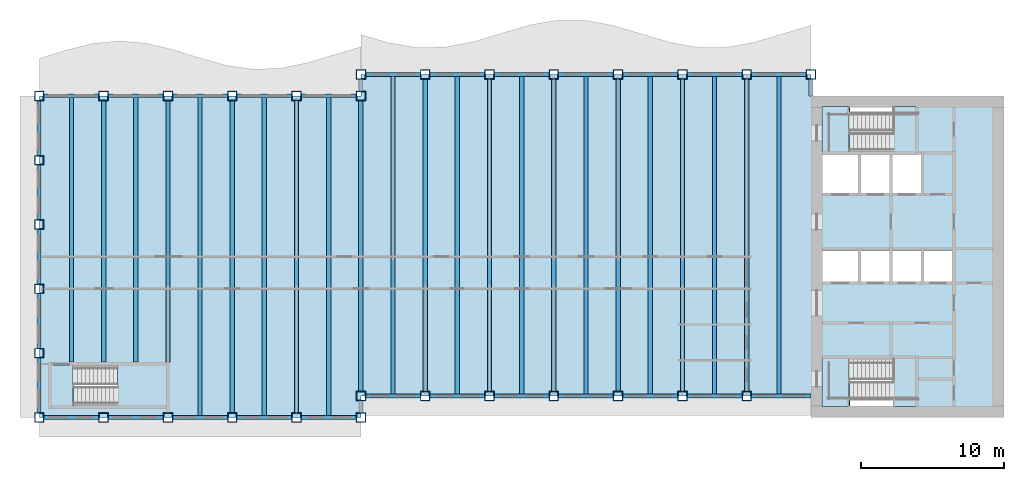
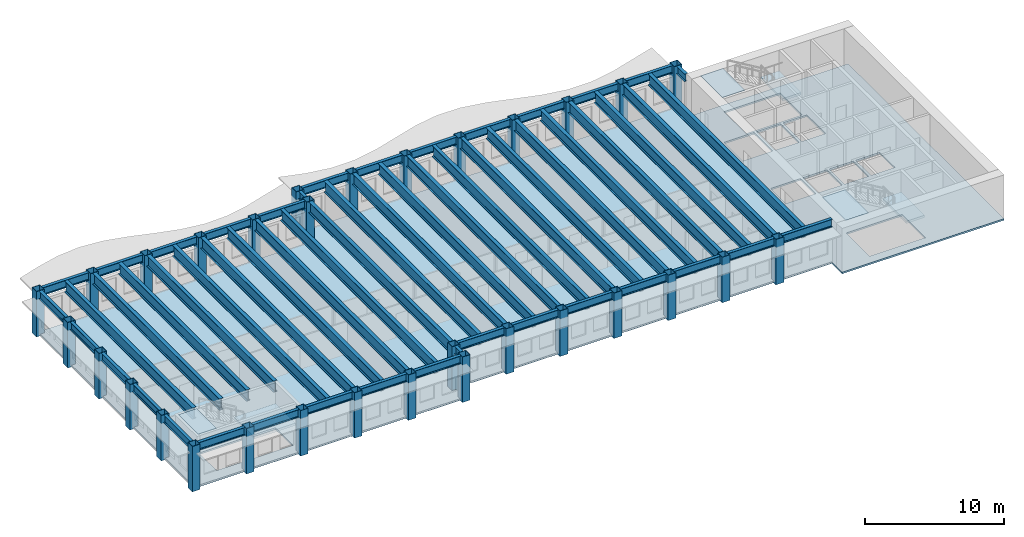
# One storey, part 1 of 12: 55 beams, 31 columns, 7 slabs, 3 elements without a shape of their own.
"""IFC4 building model written with IfcOpenShell, lengths in metres."""

from ifc_helpers import new_model, si_unit, direction, frame, origin, origin_2d, place, context, subcontext, project, spatial, polyline, hollow_rectangle, i_section, outline, extrude, material, layer, layer_set, material_profile, profile_set, type_object, element, aggregate, save


model = new_model("IFC4")

# Units and contexts
model_context = context("Model", 3, precision=1e-05, world=origin(), true_north=direction((0.0, 1.0)))
body_context = subcontext(model_context, "Body", "Model", "MODEL_VIEW")
ifc_project = project(units=[si_unit("LENGTHUNIT", "METRE"), si_unit("AREAUNIT", "SQUARE_METRE"), si_unit("VOLUMEUNIT", "CUBIC_METRE"), si_unit("PLANEANGLEUNIT", "RADIAN"), si_unit("MASSUNIT", "GRAM", prefix="KILO")], contexts=[model_context])

# Site, building, storey
site_placement = place(None, origin())
site = spatial("IfcSite", under=ifc_project, at=site_placement, CompositionType="ELEMENT")
building_placement = place(site_placement, origin())
building = spatial("IfcBuilding", under=site, at=building_placement, Name="Sennacour Bend Tower", CompositionType="ELEMENT")
storey_placement = place(building_placement, frame((0.0, 0.0, 249.0)))
storey = spatial("IfcBuildingStorey", under=building, at=storey_placement, Name="L57", CompositionType="ELEMENT", Elevation=249.0)

# Columns
ifc_material_1 = material(Name="Steel ASTM A572 Grade 50", Category="steel")
ifc_material_profile_1 = material_profile(ifc_material_1, hollow_rectangle(XDim=0.64990234375, YDim=0.64990234375, WallThickness=0.031982421875, at=origin_2d()), Name="Steel ASTM A572 Grade 50", Category="steel")
ifc_profile_set_1 = profile_set([ifc_material_profile_1], Name="Steel ASTM A572 Grade 50")
column_type = type_object("IfcColumnType", Name="Box column 650", PredefinedType="COLUMN", material=ifc_profile_set_1)
for number, where, z_axis, x_axis, name in (
    (1, (0.0, 0.0, -0.14990234375), (0.0, 0.0, 1.0), (1.0, 0.0, 0.0), "Perimeter column C5 L57-001"),
    (2, (0.0, 4.5, -0.14990234375), (0.0, 0.0, 1.0), (1.0, 0.0, 0.0), "Perimeter column C5 L57-002"),
    (3, (0.0, 9.0, -0.14990234375), (0.0, 0.0, 1.0), (1.0, 0.0, 0.0), "Perimeter column C5 L57-003"),
    (4, (0.0, 13.5, -0.14990234375), (0.0, 0.0, 1.0), (1.0, 0.0, 0.0), "Perimeter column C5 L57-004"),
    (5, (0.0, 18.0, -0.14990234375), (0.0, 0.0, 1.0), (1.0, 0.0, 0.0), "Perimeter column C5 L57-005"),
    (6, (0.0, 22.5, -0.14990234375), (0.0, 0.0, 1.0), (1.0, 0.0, 0.0), "Perimeter column C5 L57-006"),
    (7, (4.5, 0.0, -0.14990234375), (0.0, 0.0, 1.0), (1.0, 0.0, 0.0), "Perimeter column C5 L57-007"),
    (8, (4.5, 22.5, -0.14990234375), (0.0, 0.0, 1.0), (1.0, 0.0, 0.0), "Perimeter column C5 L57-008"),
    (9, (9.0, 0.0, -0.14990234375), (0.0, 0.0, 1.0), (1.0, 0.0, 0.0), "Perimeter column C5 L57-009"),
    (10, (9.0, 22.5, -0.14990234375), (0.0, 0.0, 1.0), (1.0, 0.0, 0.0), "Perimeter column C5 L57-010"),
    (11, (13.5, 0.0, -0.14990234375), (0.0, 0.0, 1.0), (1.0, 0.0, 0.0), "Perimeter column C5 L57-011"),
    (12, (13.5, 22.5, -0.14990234375), (0.0, 0.0, 1.0), (1.0, 0.0, 0.0), "Perimeter column C5 L57-012"),
    (13, (18.0, 0.0, -0.14990234375), (0.0, 0.0, 1.0), (1.0, 0.0, 0.0), "Perimeter column C5 L57-013"),
    (14, (18.0, 22.5, -0.14990234375), (0.0, 0.0, 1.0), (1.0, 0.0, 0.0), "Perimeter column C5 L57-014"),
    (15, (22.5, 0.0, -0.14990234375), (0.0, 0.0, 1.0), (1.0, 0.0, 0.0), "Perimeter column C5 L57-015"),
    (16, (22.5, 1.5, -0.14990234375), (0.0, 0.0, 1.0), (1.0, 0.0, 0.0), "Perimeter column C5 L57-016"),
    (17, (22.5, 22.5, -0.14990234375), (0.0, 0.0, 1.0), (1.0, 0.0, 0.0), "Perimeter column C5 L57-017"),
    (18, (22.5, 24.0, -0.14990234375), (0.0, 0.0, 1.0), (1.0, 0.0, 0.0), "Perimeter column C5 L57-018"),
    (19, (27.0, 1.5, -0.14990234375), (0.0, 0.0, 1.0), (1.0, 0.0, 0.0), "Perimeter column C5 L57-019"),
    (20, (27.0, 24.0, -0.14990234375), (0.0, 0.0, 1.0), (1.0, 0.0, 0.0), "Perimeter column C5 L57-020"),
    (21, (31.5, 1.5, -0.14990234375), (0.0, 0.0, 1.0), (1.0, 0.0, 0.0), "Perimeter column C5 L57-021"),
    (22, (31.5, 24.0, -0.14990234375), (0.0, 0.0, 1.0), (1.0, 0.0, 0.0), "Perimeter column C5 L57-022"),
    (23, (36.0, 1.5, -0.14990234375), (0.0, 0.0, 1.0), (1.0, 0.0, 0.0), "Perimeter column C5 L57-023"),
    (24, (36.0, 24.0, -0.14990234375), (0.0, 0.0, 1.0), (1.0, 0.0, 0.0), "Perimeter column C5 L57-024"),
    (25, (40.5, 1.5, -0.14990234375), (0.0, 0.0, 1.0), (1.0, 0.0, 0.0), "Perimeter column C5 L57-025"),
    (26, (40.5, 24.0, -0.14990234375), (0.0, 0.0, 1.0), (1.0, 0.0, 0.0), "Perimeter column C5 L57-026"),
    (27, (45.0, 1.5, -0.14990234375), (0.0, 0.0, 1.0), (1.0, 0.0, 0.0), "Perimeter column C5 L57-027"),
    (28, (45.0, 24.0, -0.14990234375), (0.0, 0.0, 1.0), (1.0, 0.0, 0.0), "Perimeter column C5 L57-028"),
    (29, (49.5, 1.5, -0.14990234375), (0.0, 0.0, 1.0), (1.0, 0.0, 0.0), "Perimeter column C5 L57-029"),
    (30, (49.5, 24.0, -0.14990234375), (0.0, 0.0, 1.0), (1.0, 0.0, 0.0), "Perimeter column C5 L57-030"),
    (31, (54.0, 24.0, -0.14990234375), (0.0, 0.0, 1.0), (1.0, 0.0, 0.0), "Perimeter column C5 L57-031"),
):
    element("IfcColumn", number, at=place(storey_placement, frame(where, z_axis=z_axis, x_axis=x_axis)), inside=storey, type_object=column_type, Name=name, PredefinedType="COLUMN", context=body_context, shape_type="SweptSolid", body=[
        extrude(hollow_rectangle(XDim=0.64990234375, YDim=0.64990234375, WallThickness=0.031982421875, at=origin_2d()), origin(), (0.0, 0.0, 1.0), 4.0),
    ])

# Beams
ifc_material_2 = material(Name="Steel ASTM A992 Grade 50", Category="steel")
ifc_material_profile_2 = material_profile(ifc_material_2, i_section(OverallWidth=0.300048828125, OverallDepth=0.97998046875, WebThickness=0.0166015625, FlangeThickness=0.026123046875, FilletRadius=0.02978515625, at=origin_2d()), Name="Steel ASTM A992 Grade 50", Category="steel")
ifc_profile_set_2 = profile_set([ifc_material_profile_2], Name="Steel ASTM A992 Grade 50")
beam_type_1 = type_object("IfcBeamType", Name="Floor beam W1000X249", PredefinedType="BEAM", material=ifc_profile_set_2)
beam_1_placement = place(storey_placement, frame((2.25, 3.875, 3.360107421875), z_axis=(0.0, 1.0, 0.0), x_axis=(-1.0, 0.0, 0.0)))
element("IfcBeam", 32, at=beam_1_placement, inside=storey, type_object=beam_type_1, Name="Floor beam FBM2 L58-001", PredefinedType="BEAM", context=body_context, shape_type="SweptSolid", body=[
    extrude(i_section(OverallWidth=0.300048828125, OverallDepth=0.97998046875, WebThickness=0.0166015625, FlangeThickness=0.026123046875, FilletRadius=0.02978515625, at=origin_2d()), origin(), (0.0, 0.0, 1.0), 18.498046875),
])
beam_2_placement = place(storey_placement, frame((4.5, 3.875, 3.360107421875), z_axis=(0.0, 1.0, 0.0), x_axis=(-1.0, 0.0, 0.0)))
element("IfcBeam", 33, at=beam_2_placement, inside=storey, type_object=beam_type_1, Name="Floor beam FBM2 L58-002", PredefinedType="BEAM", context=body_context, shape_type="SweptSolid", body=[
    extrude(i_section(OverallWidth=0.300048828125, OverallDepth=0.97998046875, WebThickness=0.0166015625, FlangeThickness=0.026123046875, FilletRadius=0.02978515625, at=origin_2d()), origin(), (0.0, 0.0, 1.0), 18.300048828125),
])
beam_3_placement = place(storey_placement, frame((6.75, 3.875, 3.360107421875), z_axis=(0.0, 1.0, 0.0), x_axis=(-1.0, 0.0, 0.0)))
element("IfcBeam", 34, at=beam_3_placement, inside=storey, type_object=beam_type_1, Name="Floor beam FBM2 L58-003", PredefinedType="BEAM", context=body_context, shape_type="SweptSolid", body=[
    extrude(i_section(OverallWidth=0.300048828125, OverallDepth=0.97998046875, WebThickness=0.0166015625, FlangeThickness=0.026123046875, FilletRadius=0.02978515625, at=origin_2d()), origin(), (0.0, 0.0, 1.0), 18.498046875),
])
beam_4_placement = place(storey_placement, frame((9.0, 3.875, 3.360107421875), z_axis=(0.0, 1.0, 0.0), x_axis=(-1.0, 0.0, 0.0)))
element("IfcBeam", 35, at=beam_4_placement, inside=storey, type_object=beam_type_1, Name="Floor beam FBM2 L58-004", PredefinedType="BEAM", context=body_context, shape_type="SweptSolid", body=[
    extrude(i_section(OverallWidth=0.300048828125, OverallDepth=0.97998046875, WebThickness=0.0166015625, FlangeThickness=0.026123046875, FilletRadius=0.02978515625, at=origin_2d()), origin(), (0.0, 0.0, 1.0), 18.300048828125),
])
beam_5_placement = place(storey_placement, frame((11.25, 0.126953125, 3.360107421875), z_axis=(0.0, 1.0, 0.0), x_axis=(-1.0, 0.0, 0.0)))
element("IfcBeam", 36, at=beam_5_placement, inside=storey, type_object=beam_type_1, Name="Floor beam FBM2 L58-005", PredefinedType="BEAM", context=body_context, shape_type="SweptSolid", body=[
    extrude(i_section(OverallWidth=0.300048828125, OverallDepth=0.97998046875, WebThickness=0.0166015625, FlangeThickness=0.026123046875, FilletRadius=0.02978515625, at=origin_2d()), origin(), (0.0, 0.0, 1.0), 22.24609375),
])
beam_6_placement = place(storey_placement, frame((13.5, 0.324951171875, 3.360107421875), z_axis=(0.0, 1.0, 0.0), x_axis=(-1.0, 0.0, 0.0)))
element("IfcBeam", 37, at=beam_6_placement, inside=storey, type_object=beam_type_1, Name="Floor beam FBM2 L58-006", PredefinedType="BEAM", context=body_context, shape_type="SweptSolid", body=[
    extrude(i_section(OverallWidth=0.300048828125, OverallDepth=0.97998046875, WebThickness=0.0166015625, FlangeThickness=0.026123046875, FilletRadius=0.02978515625, at=origin_2d()), origin(), (0.0, 0.0, 1.0), 21.85009765625),
])
beam_7_placement = place(storey_placement, frame((15.75, 0.126953125, 3.360107421875), z_axis=(0.0, 1.0, 0.0), x_axis=(-1.0, 0.0, 0.0)))
element("IfcBeam", 38, at=beam_7_placement, inside=storey, type_object=beam_type_1, Name="Floor beam FBM2 L58-007", PredefinedType="BEAM", context=body_context, shape_type="SweptSolid", body=[
    extrude(i_section(OverallWidth=0.300048828125, OverallDepth=0.97998046875, WebThickness=0.0166015625, FlangeThickness=0.026123046875, FilletRadius=0.02978515625, at=origin_2d()), origin(), (0.0, 0.0, 1.0), 22.24609375),
])
beam_8_placement = place(storey_placement, frame((18.0, 0.324951171875, 3.360107421875), z_axis=(0.0, 1.0, 0.0), x_axis=(-1.0, 0.0, 0.0)))
element("IfcBeam", 39, at=beam_8_placement, inside=storey, type_object=beam_type_1, Name="Floor beam FBM2 L58-008", PredefinedType="BEAM", context=body_context, shape_type="SweptSolid", body=[
    extrude(i_section(OverallWidth=0.300048828125, OverallDepth=0.97998046875, WebThickness=0.0166015625, FlangeThickness=0.026123046875, FilletRadius=0.02978515625, at=origin_2d()), origin(), (0.0, 0.0, 1.0), 21.85009765625),
])
beam_9_placement = place(storey_placement, frame((20.25, 0.126953125, 3.360107421875), z_axis=(0.0, 1.0, 0.0), x_axis=(-1.0, 0.0, 0.0)))
element("IfcBeam", 40, at=beam_9_placement, inside=storey, type_object=beam_type_1, Name="Floor beam FBM2 L58-009", PredefinedType="BEAM", context=body_context, shape_type="SweptSolid", body=[
    extrude(i_section(OverallWidth=0.300048828125, OverallDepth=0.97998046875, WebThickness=0.0166015625, FlangeThickness=0.026123046875, FilletRadius=0.02978515625, at=origin_2d()), origin(), (0.0, 0.0, 1.0), 22.24609375),
])
beam_10_placement = place(storey_placement, frame((22.5, 1.824951171875, 3.360107421875), z_axis=(0.0, 1.0, 0.0), x_axis=(-1.0, 0.0, 0.0)))
element("IfcBeam", 41, at=beam_10_placement, inside=storey, type_object=beam_type_1, Name="Floor beam FBM2 L58-010", PredefinedType="BEAM", context=body_context, shape_type="SweptSolid", body=[
    extrude(i_section(OverallWidth=0.300048828125, OverallDepth=0.97998046875, WebThickness=0.0166015625, FlangeThickness=0.026123046875, FilletRadius=0.02978515625, at=origin_2d()), origin(), (0.0, 0.0, 1.0), 20.35009765625),
])
beam_11_placement = place(storey_placement, frame((24.75, 1.626953125, 3.360107421875), z_axis=(0.0, 1.0, 0.0), x_axis=(-1.0, 0.0, 0.0)))
element("IfcBeam", 42, at=beam_11_placement, inside=storey, type_object=beam_type_1, Name="Floor beam FBM2 L58-011", PredefinedType="BEAM", context=body_context, shape_type="SweptSolid", body=[
    extrude(i_section(OverallWidth=0.300048828125, OverallDepth=0.97998046875, WebThickness=0.0166015625, FlangeThickness=0.026123046875, FilletRadius=0.02978515625, at=origin_2d()), origin(), (0.0, 0.0, 1.0), 22.24609375),
])
beam_12_placement = place(storey_placement, frame((27.0, 1.824951171875, 3.360107421875), z_axis=(0.0, 1.0, 0.0), x_axis=(-1.0, 0.0, 0.0)))
element("IfcBeam", 43, at=beam_12_placement, inside=storey, type_object=beam_type_1, Name="Floor beam FBM2 L58-012", PredefinedType="BEAM", context=body_context, shape_type="SweptSolid", body=[
    extrude(i_section(OverallWidth=0.300048828125, OverallDepth=0.97998046875, WebThickness=0.0166015625, FlangeThickness=0.026123046875, FilletRadius=0.02978515625, at=origin_2d()), origin(), (0.0, 0.0, 1.0), 21.85009765625),
])
beam_13_placement = place(storey_placement, frame((29.25, 1.626953125, 3.360107421875), z_axis=(0.0, 1.0, 0.0), x_axis=(-1.0, 0.0, 0.0)))
element("IfcBeam", 44, at=beam_13_placement, inside=storey, type_object=beam_type_1, Name="Floor beam FBM2 L58-013", PredefinedType="BEAM", context=body_context, shape_type="SweptSolid", body=[
    extrude(i_section(OverallWidth=0.300048828125, OverallDepth=0.97998046875, WebThickness=0.0166015625, FlangeThickness=0.026123046875, FilletRadius=0.02978515625, at=origin_2d()), origin(), (0.0, 0.0, 1.0), 22.24609375),
])
beam_14_placement = place(storey_placement, frame((31.5, 1.824951171875, 3.360107421875), z_axis=(0.0, 1.0, 0.0), x_axis=(-1.0, 0.0, 0.0)))
element("IfcBeam", 45, at=beam_14_placement, inside=storey, type_object=beam_type_1, Name="Floor beam FBM2 L58-014", PredefinedType="BEAM", context=body_context, shape_type="SweptSolid", body=[
    extrude(i_section(OverallWidth=0.300048828125, OverallDepth=0.97998046875, WebThickness=0.0166015625, FlangeThickness=0.026123046875, FilletRadius=0.02978515625, at=origin_2d()), origin(), (0.0, 0.0, 1.0), 21.85009765625),
])
beam_15_placement = place(storey_placement, frame((33.75, 1.626953125, 3.360107421875), z_axis=(0.0, 1.0, 0.0), x_axis=(-1.0, 0.0, 0.0)))
element("IfcBeam", 46, at=beam_15_placement, inside=storey, type_object=beam_type_1, Name="Floor beam FBM2 L58-015", PredefinedType="BEAM", context=body_context, shape_type="SweptSolid", body=[
    extrude(i_section(OverallWidth=0.300048828125, OverallDepth=0.97998046875, WebThickness=0.0166015625, FlangeThickness=0.026123046875, FilletRadius=0.02978515625, at=origin_2d()), origin(), (0.0, 0.0, 1.0), 22.24609375),
])
beam_16_placement = place(storey_placement, frame((36.0, 1.824951171875, 3.360107421875), z_axis=(0.0, 1.0, 0.0), x_axis=(-1.0, 0.0, 0.0)))
element("IfcBeam", 47, at=beam_16_placement, inside=storey, type_object=beam_type_1, Name="Floor beam FBM2 L58-016", PredefinedType="BEAM", context=body_context, shape_type="SweptSolid", body=[
    extrude(i_section(OverallWidth=0.300048828125, OverallDepth=0.97998046875, WebThickness=0.0166015625, FlangeThickness=0.026123046875, FilletRadius=0.02978515625, at=origin_2d()), origin(), (0.0, 0.0, 1.0), 21.85009765625),
])
beam_17_placement = place(storey_placement, frame((38.25, 1.626953125, 3.360107421875), z_axis=(0.0, 1.0, 0.0), x_axis=(-1.0, 0.0, 0.0)))
element("IfcBeam", 48, at=beam_17_placement, inside=storey, type_object=beam_type_1, Name="Floor beam FBM2 L58-017", PredefinedType="BEAM", context=body_context, shape_type="SweptSolid", body=[
    extrude(i_section(OverallWidth=0.300048828125, OverallDepth=0.97998046875, WebThickness=0.0166015625, FlangeThickness=0.026123046875, FilletRadius=0.02978515625, at=origin_2d()), origin(), (0.0, 0.0, 1.0), 22.24609375),
])
beam_18_placement = place(storey_placement, frame((40.5, 1.824951171875, 3.360107421875), z_axis=(0.0, 1.0, 0.0), x_axis=(-1.0, 0.0, 0.0)))
element("IfcBeam", 49, at=beam_18_placement, inside=storey, type_object=beam_type_1, Name="Floor beam FBM2 L58-018", PredefinedType="BEAM", context=body_context, shape_type="SweptSolid", body=[
    extrude(i_section(OverallWidth=0.300048828125, OverallDepth=0.97998046875, WebThickness=0.0166015625, FlangeThickness=0.026123046875, FilletRadius=0.02978515625, at=origin_2d()), origin(), (0.0, 0.0, 1.0), 21.85009765625),
])
beam_19_placement = place(storey_placement, frame((42.75, 1.626953125, 3.360107421875), z_axis=(0.0, 1.0, 0.0), x_axis=(-1.0, 0.0, 0.0)))
element("IfcBeam", 50, at=beam_19_placement, inside=storey, type_object=beam_type_1, Name="Floor beam FBM2 L58-019", PredefinedType="BEAM", context=body_context, shape_type="SweptSolid", body=[
    extrude(i_section(OverallWidth=0.300048828125, OverallDepth=0.97998046875, WebThickness=0.0166015625, FlangeThickness=0.026123046875, FilletRadius=0.02978515625, at=origin_2d()), origin(), (0.0, 0.0, 1.0), 22.24609375),
])
beam_20_placement = place(storey_placement, frame((45.0, 1.824951171875, 3.360107421875), z_axis=(0.0, 1.0, 0.0), x_axis=(-1.0, 0.0, 0.0)))
element("IfcBeam", 51, at=beam_20_placement, inside=storey, type_object=beam_type_1, Name="Floor beam FBM2 L58-020", PredefinedType="BEAM", context=body_context, shape_type="SweptSolid", body=[
    extrude(i_section(OverallWidth=0.300048828125, OverallDepth=0.97998046875, WebThickness=0.0166015625, FlangeThickness=0.026123046875, FilletRadius=0.02978515625, at=origin_2d()), origin(), (0.0, 0.0, 1.0), 21.85009765625),
])
beam_21_placement = place(storey_placement, frame((47.25, 1.626953125, 3.360107421875), z_axis=(0.0, 1.0, 0.0), x_axis=(-1.0, 0.0, 0.0)))
element("IfcBeam", 52, at=beam_21_placement, inside=storey, type_object=beam_type_1, Name="Floor beam FBM2 L58-021", PredefinedType="BEAM", context=body_context, shape_type="SweptSolid", body=[
    extrude(i_section(OverallWidth=0.300048828125, OverallDepth=0.97998046875, WebThickness=0.0166015625, FlangeThickness=0.026123046875, FilletRadius=0.02978515625, at=origin_2d()), origin(), (0.0, 0.0, 1.0), 22.24609375),
])
beam_22_placement = place(storey_placement, frame((49.5, 1.824951171875, 3.360107421875), z_axis=(0.0, 1.0, 0.0), x_axis=(-1.0, 0.0, 0.0)))
element("IfcBeam", 53, at=beam_22_placement, inside=storey, type_object=beam_type_1, Name="Floor beam FBM2 L58-022", PredefinedType="BEAM", context=body_context, shape_type="SweptSolid", body=[
    extrude(i_section(OverallWidth=0.300048828125, OverallDepth=0.97998046875, WebThickness=0.0166015625, FlangeThickness=0.026123046875, FilletRadius=0.02978515625, at=origin_2d()), origin(), (0.0, 0.0, 1.0), 21.85009765625),
])
beam_23_placement = place(storey_placement, frame((51.75, 1.626953125, 3.360107421875), z_axis=(0.0, 1.0, 0.0), x_axis=(-1.0, 0.0, 0.0)))
element("IfcBeam", 54, at=beam_23_placement, inside=storey, type_object=beam_type_1, Name="Floor beam FBM2 L58-023", PredefinedType="BEAM", context=body_context, shape_type="SweptSolid", body=[
    extrude(i_section(OverallWidth=0.300048828125, OverallDepth=0.97998046875, WebThickness=0.0166015625, FlangeThickness=0.026123046875, FilletRadius=0.02978515625, at=origin_2d()), origin(), (0.0, 0.0, 1.0), 22.24609375),
])
ifc_material_profile_3 = material_profile(ifc_material_2, i_section(OverallWidth=0.25390625, OverallDepth=0.68798828125, WebThickness=0.01318359375, FlangeThickness=0.02099609375, FilletRadius=0.01513671875, at=origin_2d()), Name="Steel ASTM A992 Grade 50", Category="steel")
ifc_profile_set_3 = profile_set([ifc_material_profile_3], Name="Steel ASTM A992 Grade 50")
beam_type_2 = type_object("IfcBeamType", Name="Spandrel beam W690X152", PredefinedType="SPANDREL", material=ifc_profile_set_3)
for number, where, z_axis, x_axis, name in (
    (55, (22.175048828125, 0.0, 3.506103515625), (-1.0, 0.0, 0.0), (0.0, -1.0, 0.0), "Spandrel beam SP6 L58-001"),
    (56, (17.675048828125, 0.0, 3.506103515625), (-1.0, 0.0, 0.0), (0.0, -1.0, 0.0), "Spandrel beam SP6 L58-002"),
    (57, (13.175048828125, 0.0, 3.506103515625), (-1.0, 0.0, 0.0), (0.0, -1.0, 0.0), "Spandrel beam SP6 L58-003"),
    (58, (8.675048828125, 0.0, 3.506103515625), (-1.0, 0.0, 0.0), (0.0, -1.0, 0.0), "Spandrel beam SP6 L58-004"),
    (59, (4.175048828125, 0.0, 3.506103515625), (-1.0, 0.0, 0.0), (0.0, -1.0, 0.0), "Spandrel beam SP6 L58-005"),
    (60, (0.0, 0.324951171875, 3.506103515625), (0.0, 1.0, 0.0), (-1.0, 0.0, 0.0), "Spandrel beam SP6 L58-006"),
    (61, (0.0, 4.824951171875, 3.506103515625), (0.0, 1.0, 0.0), (-1.0, 0.0, 0.0), "Spandrel beam SP6 L58-007"),
    (62, (0.0, 9.324951171875, 3.506103515625), (0.0, 1.0, 0.0), (-1.0, 0.0, 0.0), "Spandrel beam SP6 L58-008"),
    (63, (0.0, 13.824951171875, 3.506103515625), (0.0, 1.0, 0.0), (-1.0, 0.0, 0.0), "Spandrel beam SP6 L58-009"),
    (64, (0.0, 18.324951171875, 3.506103515625), (0.0, 1.0, 0.0), (-1.0, 0.0, 0.0), "Spandrel beam SP6 L58-010"),
    (65, (0.324951171875, 22.5, 3.506103515625), (1.0, 0.0, 0.0), (0.0, 1.0, 0.0), "Spandrel beam SP6 L58-011"),
    (66, (4.824951171875, 22.5, 3.506103515625), (1.0, 0.0, 0.0), (0.0, 1.0, 0.0), "Spandrel beam SP6 L58-012"),
    (67, (9.324951171875, 22.5, 3.506103515625), (1.0, 0.0, 0.0), (0.0, 1.0, 0.0), "Spandrel beam SP6 L58-013"),
    (68, (13.824951171875, 22.5, 3.506103515625), (1.0, 0.0, 0.0), (0.0, 1.0, 0.0), "Spandrel beam SP6 L58-014"),
    (69, (18.324951171875, 22.5, 3.506103515625), (1.0, 0.0, 0.0), (0.0, 1.0, 0.0), "Spandrel beam SP6 L58-015"),
):
    element("IfcBeam", number, at=place(storey_placement, frame(where, z_axis=z_axis, x_axis=x_axis)), inside=storey, type_object=beam_type_2, Name=name, PredefinedType="SPANDREL", context=body_context, shape_type="SweptSolid", body=[
        extrude(i_section(OverallWidth=0.25390625, OverallDepth=0.68798828125, WebThickness=0.01318359375, FlangeThickness=0.02099609375, FilletRadius=0.01513671875, at=origin_2d()), origin(), (0.0, 0.0, 1.0), 3.85009765625),
    ])
beam_24_placement = place(storey_placement, frame((22.5, 22.824951171875, 3.506103515625), z_axis=(0.0, 1.0, 0.0), x_axis=(-1.0, 0.0, 0.0)))
element("IfcBeam", 70, at=beam_24_placement, inside=storey, type_object=beam_type_2, Name="Spandrel beam SP6 L58-016", PredefinedType="SPANDREL", context=body_context, shape_type="SweptSolid", body=[
    extrude(i_section(OverallWidth=0.25390625, OverallDepth=0.68798828125, WebThickness=0.01318359375, FlangeThickness=0.02099609375, FilletRadius=0.01513671875, at=origin_2d()), origin(), (0.0, 0.0, 1.0), 0.85009765625),
])
for number, where, z_axis, x_axis, name in (
    (71, (22.824951171875, 24.0, 3.506103515625), (1.0, 0.0, 0.0), (0.0, 1.0, 0.0), "Spandrel beam SP6 L58-017"),
    (72, (27.324951171875, 24.0, 3.506103515625), (1.0, 0.0, 0.0), (0.0, 1.0, 0.0), "Spandrel beam SP6 L58-018"),
    (73, (31.824951171875, 24.0, 3.506103515625), (1.0, 0.0, 0.0), (0.0, 1.0, 0.0), "Spandrel beam SP6 L58-019"),
    (74, (36.324951171875, 24.0, 3.506103515625), (1.0, 0.0, 0.0), (0.0, 1.0, 0.0), "Spandrel beam SP6 L58-020"),
    (75, (40.824951171875, 24.0, 3.506103515625), (1.0, 0.0, 0.0), (0.0, 1.0, 0.0), "Spandrel beam SP6 L58-021"),
    (76, (45.324951171875, 24.0, 3.506103515625), (1.0, 0.0, 0.0), (0.0, 1.0, 0.0), "Spandrel beam SP6 L58-022"),
    (77, (49.824951171875, 24.0, 3.506103515625), (1.0, 0.0, 0.0), (0.0, 1.0, 0.0), "Spandrel beam SP6 L58-023"),
):
    element("IfcBeam", number, at=place(storey_placement, frame(where, z_axis=z_axis, x_axis=x_axis)), inside=storey, type_object=beam_type_2, Name=name, PredefinedType="SPANDREL", context=body_context, shape_type="SweptSolid", body=[
        extrude(i_section(OverallWidth=0.25390625, OverallDepth=0.68798828125, WebThickness=0.01318359375, FlangeThickness=0.02099609375, FilletRadius=0.01513671875, at=origin_2d()), origin(), (0.0, 0.0, 1.0), 3.85009765625),
    ])
beam_25_placement = place(storey_placement, frame((54.0, 23.675048828125, 3.506103515625), z_axis=(0.0, -1.0, 0.0), x_axis=(1.0, 0.0, 0.0)))
element("IfcBeam", 78, at=beam_25_placement, inside=storey, type_object=beam_type_2, Name="Spandrel beam SP6 L58-024", PredefinedType="SPANDREL", context=body_context, shape_type="SweptSolid", body=[
    extrude(i_section(OverallWidth=0.25390625, OverallDepth=0.68798828125, WebThickness=0.01318359375, FlangeThickness=0.02099609375, FilletRadius=0.01513671875, at=origin_2d()), origin(), (0.0, 0.0, 1.0), 1.175048828125),
])
beam_26_placement = place(storey_placement, frame((54.0, 1.5, 3.506103515625), z_axis=(-1.0, 0.0, 0.0), x_axis=(0.0, -1.0, 0.0)))
element("IfcBeam", 79, at=beam_26_placement, inside=storey, type_object=beam_type_2, Name="Spandrel beam SP6 L58-025", PredefinedType="SPANDREL", context=body_context, shape_type="SweptSolid", body=[
    extrude(i_section(OverallWidth=0.25390625, OverallDepth=0.68798828125, WebThickness=0.01318359375, FlangeThickness=0.02099609375, FilletRadius=0.01513671875, at=origin_2d()), origin(), (0.0, 0.0, 1.0), 4.175048828125),
])
for number, where, z_axis, x_axis, name in (
    (80, (49.175048828125, 1.5, 3.506103515625), (-1.0, 0.0, 0.0), (0.0, -1.0, 0.0), "Spandrel beam SP6 L58-026"),
    (81, (44.675048828125, 1.5, 3.506103515625), (-1.0, 0.0, 0.0), (0.0, -1.0, 0.0), "Spandrel beam SP6 L58-027"),
    (82, (40.175048828125, 1.5, 3.506103515625), (-1.0, 0.0, 0.0), (0.0, -1.0, 0.0), "Spandrel beam SP6 L58-028"),
    (83, (35.675048828125, 1.5, 3.506103515625), (-1.0, 0.0, 0.0), (0.0, -1.0, 0.0), "Spandrel beam SP6 L58-029"),
    (84, (31.175048828125, 1.5, 3.506103515625), (-1.0, 0.0, 0.0), (0.0, -1.0, 0.0), "Spandrel beam SP6 L58-030"),
    (85, (26.675048828125, 1.5, 3.506103515625), (-1.0, 0.0, 0.0), (0.0, -1.0, 0.0), "Spandrel beam SP6 L58-031"),
):
    element("IfcBeam", number, at=place(storey_placement, frame(where, z_axis=z_axis, x_axis=x_axis)), inside=storey, type_object=beam_type_2, Name=name, PredefinedType="SPANDREL", context=body_context, shape_type="SweptSolid", body=[
        extrude(i_section(OverallWidth=0.25390625, OverallDepth=0.68798828125, WebThickness=0.01318359375, FlangeThickness=0.02099609375, FilletRadius=0.01513671875, at=origin_2d()), origin(), (0.0, 0.0, 1.0), 3.85009765625),
    ])
beam_27_placement = place(storey_placement, frame((22.5, 1.175048828125, 3.506103515625), z_axis=(0.0, -1.0, 0.0), x_axis=(1.0, 0.0, 0.0)))
element("IfcBeam", 86, at=beam_27_placement, inside=storey, type_object=beam_type_2, Name="Spandrel beam SP6 L58-032", PredefinedType="SPANDREL", context=body_context, shape_type="SweptSolid", body=[
    extrude(i_section(OverallWidth=0.25390625, OverallDepth=0.68798828125, WebThickness=0.01318359375, FlangeThickness=0.02099609375, FilletRadius=0.01513671875, at=origin_2d()), origin(), (0.0, 0.0, 1.0), 0.85009765625),
])

# Slabs
ifc_material_3 = material(Name="Concrete C30/37", Category="concrete")
ifc_layer_1 = layer(ifc_material_3, 0.14990234375, Name="Concrete C30/37", Category="concrete")
ifc_layer_set_1 = layer_set([ifc_layer_1], Name="Concrete C30/37")
slab_type_1 = type_object("IfcSlabType", Name="Floor slab 150", PredefinedType="FLOOR", material=ifc_layer_set_1)
slab_1_placement = place(storey_placement, frame((0.0, 0.0, -0.14990234375)))
element("IfcSlab", 87, at=slab_1_placement, inside=storey, type_object=slab_type_1, Name="Floor slab L57-01", PredefinedType="FLOOR", context=body_context, shape_type="SweptSolid", body=[
    extrude(outline(polyline([(0.0, 0.0), (0.0, 22.5), (22.5, 22.5), (22.5, 24.0), (54.0, 24.0), (54.0, 22.5), (67.5, 22.5), (67.5, 0.0), (54.0, 0.0), (54.0, 1.5), (22.5, 1.5), (22.5, 0.0), (0.0, 0.0)]), holes=[polyline([(8.800048828125, 3.5), (2.429931640625, 3.5), (2.429931640625, 0.949951171875), (8.800048828125, 0.949951171875), (8.800048828125, 3.5)]), polyline([(61.39990234375, 4.125), (56.72998046875, 4.125), (56.72998046875, 0.75), (61.39990234375, 0.75), (61.39990234375, 4.125)]), polyline([(57.300048828125, 11.699951171875), (54.800048828125, 11.699951171875), (54.800048828125, 9.5), (57.300048828125, 9.5), (57.300048828125, 11.699951171875)]), polyline([(59.5, 9.5), (59.5, 11.699951171875), (57.5, 11.699951171875), (57.5, 9.5), (59.5, 9.5)]), polyline([(61.699951171875, 9.5), (61.699951171875, 11.699951171875), (59.699951171875, 11.699951171875), (59.699951171875, 9.5), (61.699951171875, 9.5)]), polyline([(63.89990234375, 11.699951171875), (61.89990234375, 11.699951171875), (61.89990234375, 9.5), (63.89990234375, 9.5), (63.89990234375, 11.699951171875)]), polyline([(57.300048828125, 18.39990234375), (54.800048828125, 18.39990234375), (54.800048828125, 15.699951171875), (57.300048828125, 15.699951171875), (57.300048828125, 18.39990234375)]), polyline([(59.5, 18.39990234375), (57.5, 18.39990234375), (57.5, 15.699951171875), (59.5, 15.699951171875), (59.5, 18.39990234375)]), polyline([(61.699951171875, 15.699951171875), (61.699951171875, 18.39990234375), (59.699951171875, 18.39990234375), (59.699951171875, 15.699951171875), (61.699951171875, 15.699951171875)]), polyline([(61.39990234375, 18.574951171875), (61.39990234375, 21.75), (56.72998046875, 21.75), (56.72998046875, 18.574951171875), (61.39990234375, 18.574951171875)])]), origin(), (0.0, 0.0, 1.0), 0.14990234375),
])
ifc_material_4 = material(Name="Concrete C40/50", Category="concrete")
ifc_layer_2 = layer(ifc_material_4, 0.034912109375, Name="Concrete C40/50", Category="concrete")
ifc_layer_set_2 = layer_set([ifc_layer_2], Name="Concrete C40/50")
slab_type_2 = type_object("IfcSlabType", Name="Stair arrival nib 35", PredefinedType="FLOOR", material=ifc_layer_set_2)
slab_2_placement = place(storey_placement, frame((0.0, 0.0, 3.815185546875)))
element("IfcSlab", 88, at=slab_2_placement, inside=storey, type_object=slab_type_2, Name="L57 SA1 stair arrival nib", PredefinedType="FLOOR", context=body_context, shape_type="SweptSolid", body=[
    extrude(outline(polyline([(56.64208984375, 4.125), (54.75, 4.125), (54.75, 0.75), (56.64208984375, 0.75), (56.64208984375, 4.125)])), origin(), (0.0, 0.0, 1.0), 0.034912109375),
])
slab_3_placement = place(storey_placement, frame((0.0, 0.0, 3.815185546875)))
element("IfcSlab", 89, at=slab_3_placement, inside=storey, type_object=slab_type_2, Name="L57 SA2 stair arrival nib", PredefinedType="FLOOR", context=body_context, shape_type="SweptSolid", body=[
    extrude(outline(polyline([(56.64208984375, 21.75), (54.75, 21.75), (54.75, 18.574951171875), (56.64208984375, 18.574951171875), (56.64208984375, 21.75)])), origin(), (0.0, 0.0, 1.0), 0.034912109375),
])
slab_4_placement = place(storey_placement, frame((0.0, 0.0, 3.815185546875)))
element("IfcSlab", 90, at=slab_4_placement, inside=storey, type_object=slab_type_2, Name="L57 SK1 stair arrival nib", PredefinedType="FLOOR", context=body_context, shape_type="SweptSolid", body=[
    extrude(outline(polyline([(2.342041015625, 3.675048828125), (0.800048828125, 3.675048828125), (0.800048828125, 0.800048828125), (2.342041015625, 0.800048828125), (2.342041015625, 3.675048828125)])), origin(), (0.0, 0.0, 1.0), 0.034912109375),
])

# Stair, slab
stair_type = type_object("IfcStairType", Name="ST-DOGLEG", PredefinedType="HALF_TURN_STAIR", material=ifc_material_4)
stair_1_placement = place(storey_placement, origin())
stair_1 = element("IfcStair", 91, at=stair_1_placement, inside=storey, type_object=stair_type, Name="L57 Exit stair A1", PredefinedType="HALF_TURN_STAIR")
ifc_layer_3 = layer(ifc_material_4, 0.199951171875, Name="Concrete C40/50", Category="concrete")
ifc_layer_set_3 = layer_set([ifc_layer_3], Name="Concrete C40/50")
slab_type_3 = type_object("IfcSlabType", Name="Stair landing 200", PredefinedType="LANDING", material=ifc_layer_set_3)
slab_5_placement = place(storey_placement, frame((0.0, 0.0, 1.800048828125)))
slab_5 = element("IfcSlab", 92, at=slab_5_placement, type_object=slab_type_3, Name="SA1 landing 1", PredefinedType="LANDING", context=body_context, shape_type="SweptSolid", body=[
    extrude(outline(polyline([(59.780029296875, 0.75), (61.324951171875, 0.75), (61.324951171875, 4.125), (59.780029296875, 4.125), (59.780029296875, 0.75)])), origin(), (0.0, 0.0, 1.0), 0.199951171875),
])
aggregate(stair_1, [slab_5])

stair_2_placement = place(storey_placement, origin())
stair_2 = element("IfcStair", 93, at=stair_2_placement, inside=storey, type_object=stair_type, Name="L57 Exit stair A2", PredefinedType="HALF_TURN_STAIR")
slab_6_placement = place(storey_placement, frame((0.0, 0.0, 1.800048828125)))
slab_6 = element("IfcSlab", 94, at=slab_6_placement, type_object=slab_type_3, Name="SA2 landing 1", PredefinedType="LANDING", context=body_context, shape_type="SweptSolid", body=[
    extrude(outline(polyline([(59.780029296875, 18.574951171875), (61.324951171875, 18.574951171875), (61.324951171875, 21.75), (59.780029296875, 21.75), (59.780029296875, 18.574951171875)])), origin(), (0.0, 0.0, 1.0), 0.199951171875),
])
aggregate(stair_2, [slab_6])

stair_3_placement = place(storey_placement, origin())
stair_3 = element("IfcStair", 95, at=stair_3_placement, inside=storey, type_object=stair_type, Name="L57 Exit stair K1", PredefinedType="HALF_TURN_STAIR")
slab_7_placement = place(storey_placement, frame((0.0, 0.0, 1.800048828125)))
slab_7 = element("IfcSlab", 96, at=slab_7_placement, type_object=slab_type_3, Name="SK1 landing 1", PredefinedType="LANDING", context=body_context, shape_type="SweptSolid", body=[
    extrude(outline(polyline([(5.47998046875, 0.800048828125), (8.925048828125, 0.800048828125), (8.925048828125, 3.675048828125), (5.47998046875, 3.675048828125), (5.47998046875, 0.800048828125)])), origin(), (0.0, 0.0, 1.0), 0.199951171875),
])
aggregate(stair_3, [slab_7])

save(model, "model.ifc")
